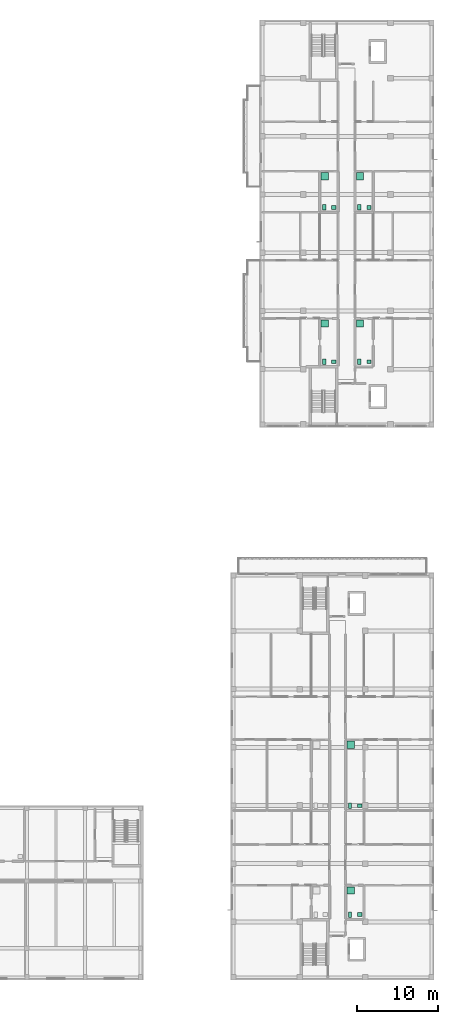
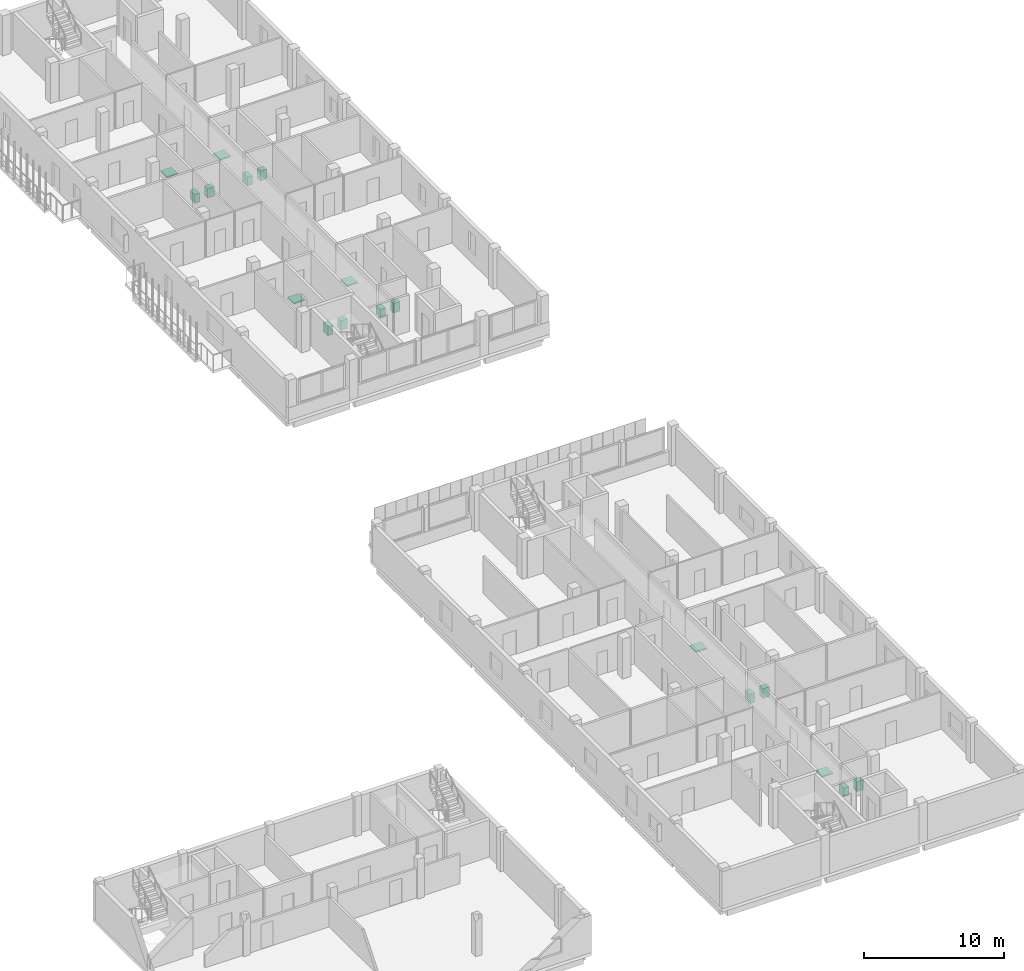
# One storey, part 73 of 73: 18 sanitary terminals.
"""IFC4 building model written with IfcOpenShell, lengths in metres."""

from ifc_helpers import new_model, si_unit, derived_unit, direction, frame, origin, origin_2d, place, context, subcontext, project, spatial, rectangle, extrude, material, type_object, element, save


model = new_model("IFC4")

# Units and contexts
model_context = context("Model", 3, precision=1e-05, world=origin(), true_north=direction((0.0, 1.0)))
body_context = subcontext(model_context, "Body", "Model", "MODEL_VIEW")
ifc_project = project(units=[si_unit("LENGTHUNIT", "METRE"), si_unit("AREAUNIT", "SQUARE_METRE"), si_unit("VOLUMEUNIT", "CUBIC_METRE"), si_unit("PLANEANGLEUNIT", "RADIAN"), si_unit("MASSUNIT", "GRAM", prefix="KILO"), derived_unit("THERMALTRANSMITTANCEUNIT", [(si_unit("MASSUNIT", "GRAM", prefix="KILO"), 1), (si_unit("TIMEUNIT", "SECOND"), -3), (si_unit("THERMODYNAMICTEMPERATUREUNIT", "KELVIN"), -1)])], contexts=[model_context])

# Site, building, storey
site_placement = place(None, origin())
site = spatial("IfcSite", under=ifc_project, at=site_placement, CompositionType="ELEMENT")
building_placement = place(site_placement, origin())
building = spatial("IfcBuilding", under=site, at=building_placement, Name="Ochrekiln Boulevard Commons", CompositionType="ELEMENT")
storey_placement = place(building_placement, frame((0.0, 0.0, 8.574951171875)))
storey = spatial("IfcBuildingStorey", under=building, at=storey_placement, Name="L02", CompositionType="ELEMENT", Elevation=8.574951171875)

# Sanitary terminals
ifc_material = material(Name="Vitreous china sanitaryware")
sanitary_terminal_type_1 = type_object("IfcSanitaryTerminalType", Name="SAN-BAS", PredefinedType="WASHHANDBASIN", material=ifc_material)
for number, where, z_axis, x_axis, name in (
    (1, (160.3701171875, 76.5, 0.0), (0.0, 0.0, 1.0), (1.0, 0.0, 0.0), "L02 Washhand Basin Fixture"),
    (2, (160.3701171875, 95.597900390625, 0.0), (0.0, 0.0, 1.0), (1.0, 0.0, 0.0), "L02 Washhand Basin Fixture"),
    (3, (164.72998046875, 76.5, 0.0), (0.0, 0.0, 1.0), (1.0, 0.0, 0.0), "L02 Washhand Basin Fixture"),
    (4, (164.72998046875, 95.597900390625, 0.0), (0.0, 0.0, 1.0), (1.0, 0.0, 0.0), "L02 Washhand Basin Fixture"),
    (5, (163.580078125, 8.10009765625, 0.0), (0.0, 0.0, 1.0), (1.0, 0.0, 0.0), "L02 Washhand Basin Fixture"),
    (6, (163.580078125, 21.56591796875, 0.0), (0.0, 0.0, 1.0), (1.0, 0.0, 0.0), "L02 Washhand Basin Fixture"),
):
    element("IfcSanitaryTerminal", number, at=place(storey_placement, frame(where, z_axis=z_axis, x_axis=x_axis)), inside=storey, type_object=sanitary_terminal_type_1, Name=name, PredefinedType="WASHHANDBASIN", context=body_context, shape_type="SweptSolid", body=[
        extrude(rectangle(XDim=0.550048828125, YDim=0.4599609375, at=origin_2d()), origin(), (0.0, 0.0, 1.0), 0.840087890625),
    ])
sanitary_terminal_type_2 = type_object("IfcSanitaryTerminalType", Name="SAN-SHW", PredefinedType="SHOWER", material=ifc_material)
for number, where, z_axis, x_axis, name in (
    (7, (159.27001953125, 81.235107421875, 0.0), (0.0, 0.0, 1.0), (1.0, 0.0, 0.0), "L02 Shower Receptor"),
    (8, (159.27001953125, 99.4599609375, 0.0), (0.0, 0.0, 1.0), (1.0, 0.0, 0.0), "L02 Shower Receptor"),
    (9, (163.6298828125, 81.235107421875, 0.0), (0.0, 0.0, 1.0), (1.0, 0.0, 0.0), "L02 Shower Receptor"),
    (10, (163.6298828125, 99.4599609375, 0.0), (0.0, 0.0, 1.0), (1.0, 0.0, 0.0), "L02 Shower Receptor"),
    (11, (162.47998046875, 11.089111328125, 0.0), (0.0, 0.0, 1.0), (1.0, 0.0, 0.0), "L02 Shower Receptor"),
    (12, (162.47998046875, 29.1201171875, 0.0), (0.0, 0.0, 1.0), (1.0, 0.0, 0.0), "L02 Shower Receptor"),
):
    element("IfcSanitaryTerminal", number, at=place(storey_placement, frame(where, z_axis=z_axis, x_axis=x_axis)), inside=storey, type_object=sanitary_terminal_type_2, Name=name, PredefinedType="SHOWER", context=body_context, shape_type="SweptSolid", body=[
        extrude(rectangle(XDim=0.89990234375, YDim=0.89990234375, at=origin_2d()), origin(), (0.0, 0.0, 1.0), 0.1201171875),
    ])
sanitary_terminal_type_3 = type_object("IfcSanitaryTerminalType", Name="SAN-WC", PredefinedType="TOILETPAN", material=ifc_material)
for number, where, z_axis, x_axis, name in (
    (13, (159.169921875, 76.5, 0.0), (0.0, 0.0, 1.0), (1.0, 0.0, 0.0), "L02 Water Closet Fixture"),
    (14, (159.169921875, 95.597900390625, 0.0), (0.0, 0.0, 1.0), (1.0, 0.0, 0.0), "L02 Water Closet Fixture"),
    (15, (163.530029296875, 76.5, 0.0), (0.0, 0.0, 1.0), (1.0, 0.0, 0.0), "L02 Water Closet Fixture"),
    (16, (163.530029296875, 95.597900390625, 0.0), (0.0, 0.0, 1.0), (1.0, 0.0, 0.0), "L02 Water Closet Fixture"),
    (17, (162.3798828125, 8.10009765625, 0.0), (0.0, 0.0, 1.0), (1.0, 0.0, 0.0), "L02 Water Closet Fixture"),
    (18, (162.3798828125, 21.56591796875, 0.0), (0.0, 0.0, 1.0), (1.0, 0.0, 0.0), "L02 Water Closet Fixture"),
):
    element("IfcSanitaryTerminal", number, at=place(storey_placement, frame(where, z_axis=z_axis, x_axis=x_axis)), inside=storey, type_object=sanitary_terminal_type_3, Name=name, PredefinedType="TOILETPAN", context=body_context, shape_type="SweptSolid", body=[
        extrude(rectangle(XDim=0.419921875, YDim=0.679931640625, at=origin_2d()), origin(), (0.0, 0.0, 1.0), 0.780029296875),
    ])

save(model, "model.ifc")
